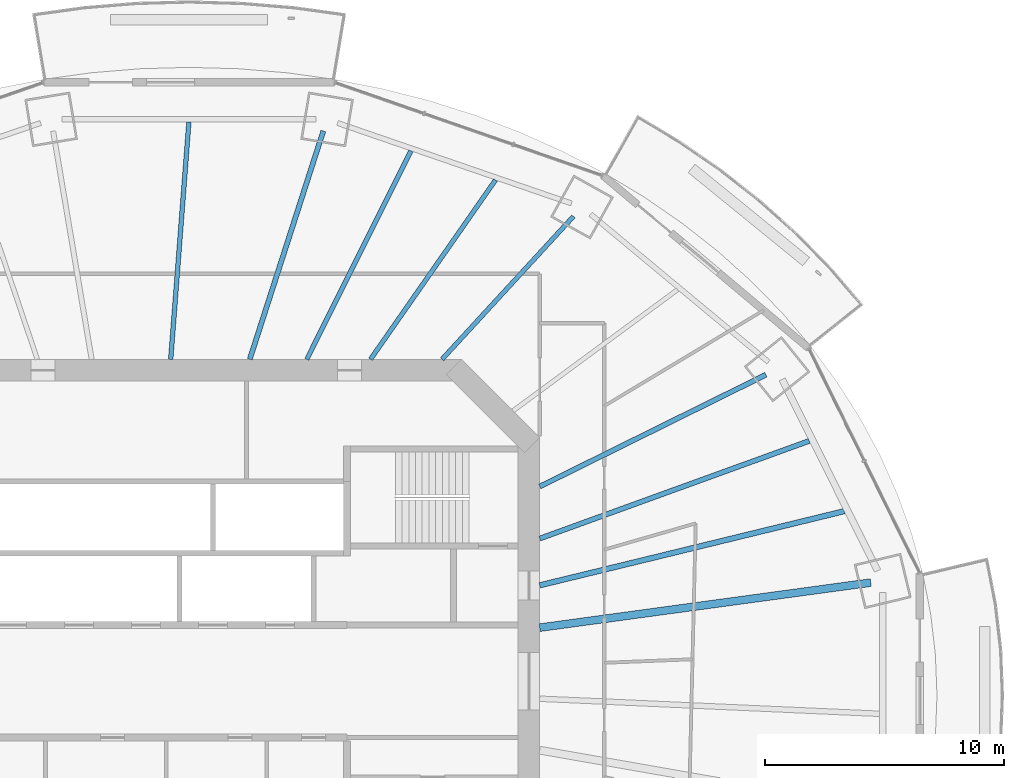
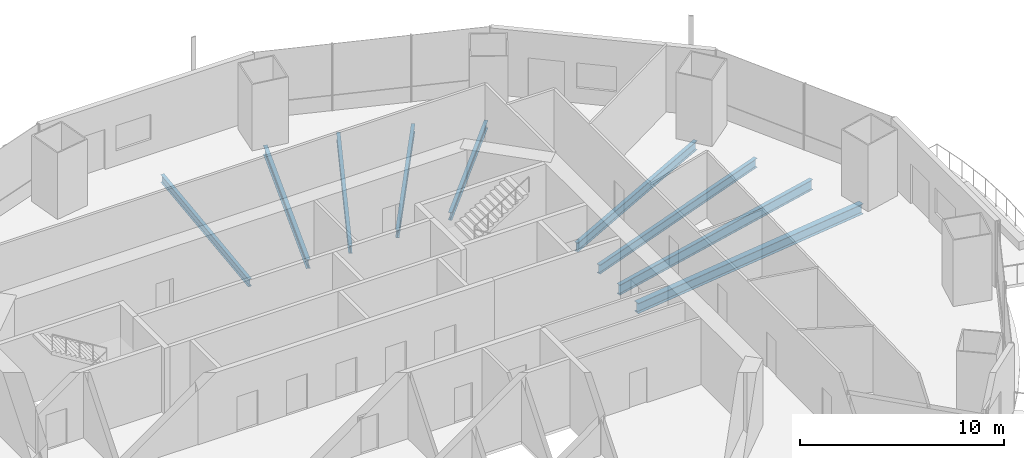
# One storey, part 7 of 20: 9 beams.
"""IFC4 building model written with IfcOpenShell, lengths in metres."""

from ifc_helpers import new_model, si_unit, direction, frame, origin, origin_2d, place, context, subcontext, project, spatial, i_section, extrude, material, material_profile, profile_set, type_object, element, save


model = new_model("IFC4")

# Units and contexts
model_context = context("Model", 3, precision=1e-05, world=origin(), true_north=direction((0.0, 1.0)))
body_context = subcontext(model_context, "Body", "Model", "MODEL_VIEW")
ifc_project = project(units=[si_unit("LENGTHUNIT", "METRE"), si_unit("AREAUNIT", "SQUARE_METRE"), si_unit("VOLUMEUNIT", "CUBIC_METRE"), si_unit("PLANEANGLEUNIT", "RADIAN"), si_unit("MASSUNIT", "GRAM", prefix="KILO")], contexts=[model_context])

# Site, building, storey
site_placement = place(None, origin())
site = spatial("IfcSite", under=ifc_project, at=site_placement, CompositionType="ELEMENT")
building_placement = place(site_placement, origin())
building = spatial("IfcBuilding", under=site, at=building_placement, Name="Marenthal Gate Tower", CompositionType="ELEMENT")
storey_placement = place(building_placement, frame((0.0, 0.0, 215.0)))
storey = spatial("IfcBuildingStorey", under=building, at=storey_placement, Name="L47", CompositionType="ELEMENT", Elevation=215.0)

# Beams
ifc_material_1 = material(Name="Steel S355", Category="steel")
ifc_material_profile_1 = material_profile(ifc_material_1, i_section(OverallWidth=0.193115234375, OverallDepth=0.467041015625, WebThickness=0.011474609375, FlangeThickness=0.01904296875, FilletRadius=0.010009765625, at=origin_2d()), Name="W460X97")
ifc_profile_set_1 = profile_set([ifc_material_profile_1], Name="Steel S355")
beam_type_1 = type_object("IfcBeamType", Name="W460X97 beam", PredefinedType="BEAM", material=ifc_profile_set_1)
beam_1_placement = place(storey_placement, frame((17.859130859375, 19.42333984375, -0.41357421875), z_axis=(-0.67683423775, -0.736135459416, 0.0), x_axis=(0.736135459416, -0.67683423775, 0.0)))
element("IfcBeam", 1, at=beam_1_placement, inside=storey, type_object=beam_type_1, Name="BM-L47-03", PredefinedType="BEAM", context=body_context, shape_type="SweptSolid", body=[
    extrude(i_section(OverallWidth=0.193115234375, OverallDepth=0.467041015625, WebThickness=0.011474609375, FlangeThickness=0.01904296875, FilletRadius=0.010009765625, at=origin_2d()), origin(), (0.0, 0.0, 1.0), 8.114501953125),
])
beam_2_placement = place(storey_placement, frame((14.603271484375, 20.944091796875, -0.41357421875), z_axis=(-0.571933272977, -0.820300147057, 0.0), x_axis=(0.820300147057, -0.571933272977, 0.0)))
element("IfcBeam", 2, at=beam_2_placement, inside=storey, type_object=beam_type_1, Name="BM-L47-20", PredefinedType="BEAM", context=body_context, shape_type="SweptSolid", body=[
    extrude(i_section(OverallWidth=0.193115234375, OverallDepth=0.467041015625, WebThickness=0.011474609375, FlangeThickness=0.01904296875, FilletRadius=0.010009765625, at=origin_2d()), origin(), (0.0, 0.0, 1.0), 9.1357421875),
])
beam_3_placement = place(storey_placement, frame((11.06787109375, 22.16064453125, -0.41357421875), z_axis=(-0.446822395082, -0.894622684294, 0.0), x_axis=(0.894622684294, -0.446822395082, 0.0)))
element("IfcBeam", 3, at=beam_3_placement, inside=storey, type_object=beam_type_1, Name="BM-L47-21", PredefinedType="BEAM", context=body_context, shape_type="SweptSolid", body=[
    extrude(i_section(OverallWidth=0.193115234375, OverallDepth=0.467041015625, WebThickness=0.011474609375, FlangeThickness=0.01904296875, FilletRadius=0.010009765625, at=origin_2d()), origin(), (0.0, 0.0, 1.0), 9.73681640625),
])
beam_4_placement = place(storey_placement, frame((1.791259765625, 23.36376953125, -0.41357421875), z_axis=(-0.076437376751, -0.997074384104, 0.0), x_axis=(0.997074384104, -0.076437376751, 0.0)))
element("IfcBeam", 4, at=beam_4_placement, inside=storey, type_object=beam_type_1, Name="BM-L47-22", PredefinedType="BEAM", context=body_context, shape_type="SweptSolid", body=[
    extrude(i_section(OverallWidth=0.193115234375, OverallDepth=0.467041015625, WebThickness=0.011474609375, FlangeThickness=0.01904296875, FilletRadius=0.010009765625, at=origin_2d()), origin(), (0.0, 0.0, 1.0), 9.94287109375),
])
ifc_material_2 = material(Name="Steel S355", Category="steel")
ifc_material_profile_2 = material_profile(ifc_material_2, i_section(OverallWidth=0.2119140625, OverallDepth=0.5439453125, WebThickness=0.01318359375, FlangeThickness=0.021240234375, FilletRadius=0.0126953125, at=origin_2d()), Name="W530X123")
ifc_profile_set_2 = profile_set([ifc_material_profile_2], Name="Steel S355")
beam_type_2 = type_object("IfcBeamType", Name="W530X123 beam", PredefinedType="BEAM", material=ifc_profile_set_2)
beam_5_placement = place(storey_placement, frame((25.89990234375, 12.806884765625, -0.451904296875), z_axis=(-0.896396180878, -0.44325375002, 0.0), x_axis=(0.44325375002, -0.896396180878, 0.0)))
element("IfcBeam", 5, at=beam_5_placement, inside=storey, type_object=beam_type_2, Name="BM-L47-02", PredefinedType="BEAM", context=body_context, shape_type="SweptSolid", body=[
    extrude(i_section(OverallWidth=0.2119140625, OverallDepth=0.5439453125, WebThickness=0.01318359375, FlangeThickness=0.021240234375, FilletRadius=0.0126953125, at=origin_2d()), origin(), (0.0, 0.0, 1.0), 10.542236328125),
])
beam_6_placement = place(storey_placement, frame((7.408203125, 22.991943359375, -0.451904296875), z_axis=(-0.306677588353, -0.951813456935, 0.0), x_axis=(0.951813456935, -0.306677588353, 0.0)))
element("IfcBeam", 6, at=beam_6_placement, inside=storey, type_object=beam_type_2, Name="BM-L47-04", PredefinedType="BEAM", context=body_context, shape_type="SweptSolid", body=[
    extrude(i_section(OverallWidth=0.2119140625, OverallDepth=0.5439453125, WebThickness=0.01318359375, FlangeThickness=0.021240234375, FilletRadius=0.0126953125, at=origin_2d()), origin(), (0.0, 0.0, 1.0), 10.025146484375),
])
beam_7_placement = place(storey_placement, frame((27.708740234375, 10.04150390625, -0.451904296875), z_axis=(-0.940169047175, -0.340708325015, 0.0), x_axis=(0.340708325015, -0.940169047175, 0.0)))
element("IfcBeam", 7, at=beam_7_placement, inside=storey, type_object=beam_type_2, Name="BM-L47-18", PredefinedType="BEAM", context=body_context, shape_type="SweptSolid", body=[
    extrude(i_section(OverallWidth=0.2119140625, OverallDepth=0.5439453125, WebThickness=0.01318359375, FlangeThickness=0.021240234375, FilletRadius=0.0126953125, at=origin_2d()), origin(), (0.0, 0.0, 1.0), 11.975341796875),
])
ifc_material_3 = material(Name="Steel S355", Category="steel")
ifc_material_profile_3 = material_profile(ifc_material_3, i_section(OverallWidth=0.22900390625, OverallDepth=0.612060546875, WebThickness=0.011962890625, FlangeThickness=0.01953125, FilletRadius=0.0126953125, at=origin_2d()), Name="W610X125")
ifc_profile_set_3 = profile_set([ifc_material_profile_3], Name="Steel S355")
beam_type_3 = type_object("IfcBeamType", Name="W610X125 beam", PredefinedType="BEAM", material=ifc_profile_set_3)
beam_8_placement = place(storey_placement, frame((29.17236328125, 7.10546875, -0.486083984375), z_axis=(-0.971593259294, -0.236657006011, 0.0), x_axis=(0.236657006011, -0.971593259294, 0.0)))
element("IfcBeam", 8, at=beam_8_placement, inside=storey, type_object=beam_type_3, Name="BM-L47-17", PredefinedType="BEAM", context=body_context, shape_type="SweptSolid", body=[
    extrude(i_section(OverallWidth=0.22900390625, OverallDepth=0.612060546875, WebThickness=0.011962890625, FlangeThickness=0.01953125, FilletRadius=0.0126953125, at=origin_2d()), origin(), (0.0, 0.0, 1.0), 13.094482421875),
])
ifc_material_4 = material(Name="Steel S355", Category="steel")
ifc_material_profile_4 = material_profile(ifc_material_4, i_section(OverallWidth=0.324951171875, OverallDepth=0.612060546875, WebThickness=0.0126953125, FlangeThickness=0.01904296875, FilletRadius=0.0126953125, at=origin_2d()), Name="W610X155")
ifc_profile_set_4 = profile_set([ifc_material_profile_4], Name="Steel S355")
beam_type_4 = type_object("IfcBeamType", Name="W610X155 beam", PredefinedType="BEAM", material=ifc_profile_set_4)
beam_9_placement = place(storey_placement, frame((30.28173828125, 4.121337890625, -0.486083984375), z_axis=(-0.990866848737, -0.134843939701, 0.0), x_axis=(0.134843939701, -0.990866848737, 0.0)))
element("IfcBeam", 9, at=beam_9_placement, inside=storey, type_object=beam_type_4, Name="BM-L47-01", PredefinedType="BEAM", context=body_context, shape_type="SweptSolid", body=[
    extrude(i_section(OverallWidth=0.324951171875, OverallDepth=0.612060546875, WebThickness=0.0126953125, FlangeThickness=0.01904296875, FilletRadius=0.0126953125, at=origin_2d()), origin(), (0.0, 0.0, 1.0), 13.959228515625),
])

save(model, "model.ifc")
